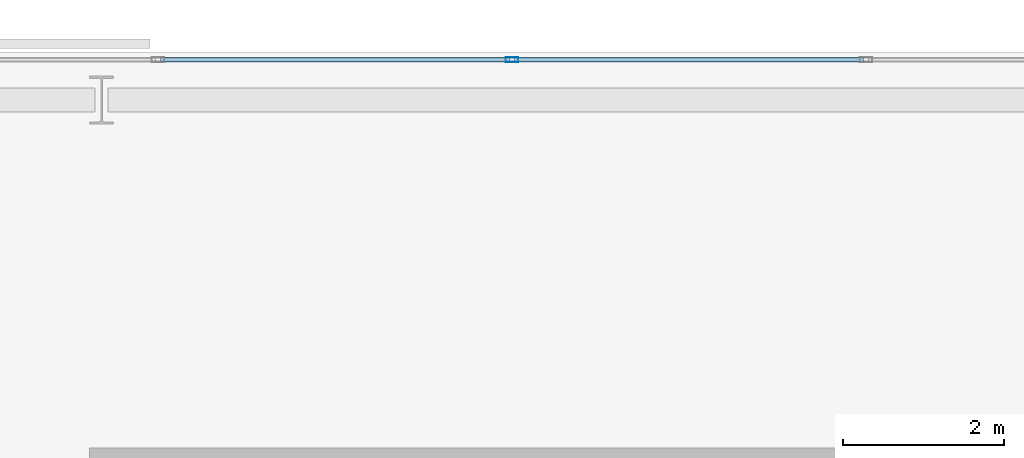
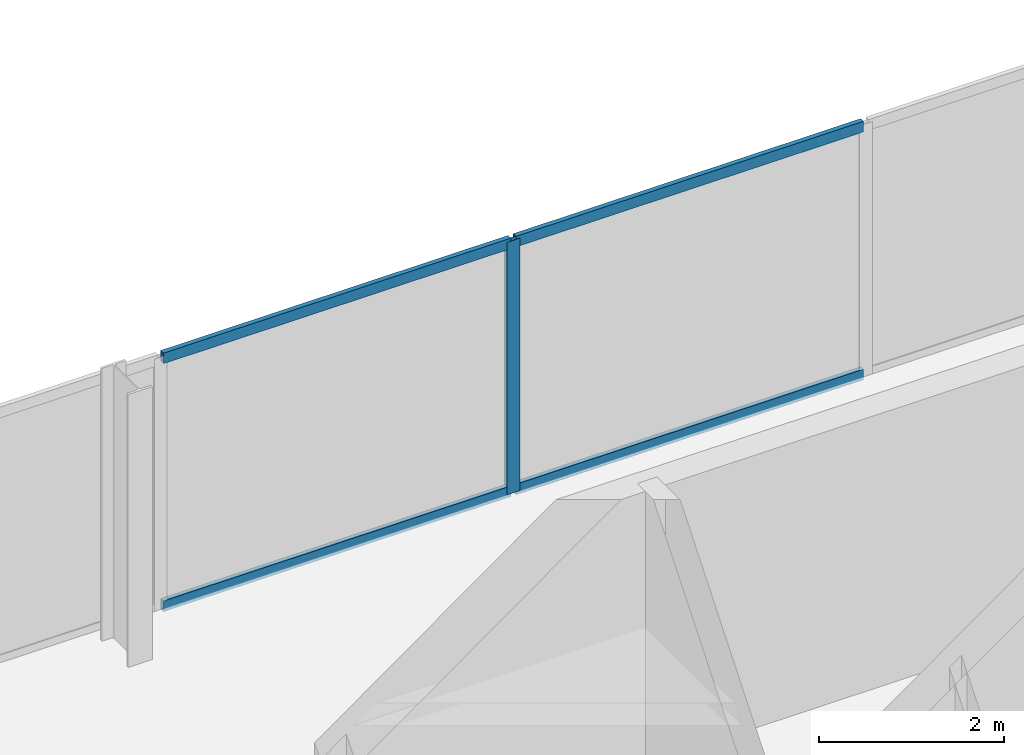
# One storey, part 20 of 32: 5 members, 1 element without a shape of its own.
"""IFC4 building model written with IfcOpenShell, lengths in metres."""

from ifc_helpers import new_model, si_unit, direction, frame, origin, origin_2d, place, context, subcontext, project, spatial, hollow_rectangle, extrude, material, layer, layer_set, material_profile, profile_set, type_object, element, aggregate, save


model = new_model("IFC4")

# Units and contexts
model_context = context("Model", 3, precision=1e-05, world=origin(), true_north=direction((0.0, 1.0)))
body_context = subcontext(model_context, "Body", "Model", "MODEL_VIEW")
ifc_project = project(units=[si_unit("LENGTHUNIT", "METRE"), si_unit("AREAUNIT", "SQUARE_METRE"), si_unit("VOLUMEUNIT", "CUBIC_METRE"), si_unit("PLANEANGLEUNIT", "RADIAN"), si_unit("MASSUNIT", "GRAM", prefix="KILO")], contexts=[model_context])

# Site, building, storey
site_placement = place(None, origin())
site = spatial("IfcSite", under=ifc_project, at=site_placement, CompositionType="ELEMENT")
building_placement = place(site_placement, origin())
building = spatial("IfcBuilding", under=site, at=building_placement, Name="Catumbela Crestline Tower", CompositionType="ELEMENT")
storey_placement = place(building_placement, frame((0.0, 0.0, 129.6)))
storey = spatial("IfcBuildingStorey", under=building, at=storey_placement, Name="L33", CompositionType="ELEMENT", Elevation=129.6)

# Curtain wall, members
ifc_material = material(Name="Aluminium alloy AW-6060-T66", Category="aluminium")
ifc_layer = layer(ifc_material, 0.18, Name="Aluminium alloy AW-6060-T66")
ifc_layer_set = layer_set([ifc_layer], Name="Aluminium alloy AW-6060-T66")
curtain_wall_type = type_object("IfcCurtainWallType", Name="CWU-Z2", PredefinedType="USERDEFINED", material=ifc_layer_set)
curtain_wall_placement = place(storey_placement, origin())
curtain_wall = element("IfcCurtainWall", 1, at=curtain_wall_placement, inside=storey, type_object=curtain_wall_type, Name="L33 Unitised Curtain Wall CW-L33-E7S1", ObjectType="UNITISED", PredefinedType="USERDEFINED")
ifc_material_profile_1 = material_profile(ifc_material, hollow_rectangle(XDim=0.06, YDim=0.16, WallThickness=0.004, at=origin_2d()), Name="ALU 160x60x4")
ifc_profile_set_1 = profile_set([ifc_material_profile_1], Name="Aluminium alloy AW-6060-T66")
member_type_1 = type_object("IfcMemberType", Name="MUL-160X60", PredefinedType="MULLION", material=ifc_profile_set_1)
member_1_placement = place(storey_placement, frame((21.1, 47.9, 0.0), z_axis=(0.0, 0.0, 1.0), x_axis=(0.0, -1.0, 0.0)))
member_1 = element("IfcMember", 2, at=member_1_placement, type_object=member_type_1, Name="CWU-Z2 mullion 7", PredefinedType="MULLION", context=body_context, shape_type="SweptSolid", body=[
    extrude(hollow_rectangle(XDim=0.06, YDim=0.16, WallThickness=0.004, at=origin_2d()), origin(), (0.0, 0.0, 1.0), 3.33),
])
ifc_material_profile_2 = material_profile(ifc_material, hollow_rectangle(XDim=0.06, YDim=0.14, WallThickness=0.004, at=origin_2d()), Name="ALU 140x60x4")
ifc_profile_set_2 = profile_set([ifc_material_profile_2], Name="Aluminium alloy AW-6060-T66")
member_type_2 = type_object("IfcMemberType", Name="TRN-140X60", PredefinedType="USERDEFINED", material=ifc_profile_set_2)
member_2_placement = place(storey_placement, frame((25.4675, 47.9, 0.03), z_axis=(-1.0, 0.0, 0.0), x_axis=(0.0, -1.0, 0.0)))
member_2 = element("IfcMember", 3, at=member_2_placement, type_object=member_type_2, Name="CWU-Z2 transom 6.1", ObjectType="TRANSOM", PredefinedType="USERDEFINED", context=body_context, shape_type="SweptSolid", body=[
    extrude(hollow_rectangle(XDim=0.06, YDim=0.14, WallThickness=0.004, at=origin_2d()), origin(), (0.0, 0.0, 1.0), 4.335),
])
member_3_placement = place(storey_placement, frame((25.4675, 47.9, 3.3), z_axis=(-1.0, 0.0, 0.0), x_axis=(0.0, -1.0, 0.0)))
member_3 = element("IfcMember", 4, at=member_3_placement, type_object=member_type_2, Name="CWU-Z2 transom 6.2", ObjectType="TRANSOM", PredefinedType="USERDEFINED", context=body_context, shape_type="SweptSolid", body=[
    extrude(hollow_rectangle(XDim=0.06, YDim=0.14, WallThickness=0.004, at=origin_2d()), origin(), (0.0, 0.0, 1.0), 4.335),
])
member_4_placement = place(storey_placement, frame((21.0675, 47.9, 0.03), z_axis=(-1.0, 0.0, 0.0), x_axis=(0.0, -1.0, 0.0)))
member_4 = element("IfcMember", 5, at=member_4_placement, type_object=member_type_2, Name="CWU-Z2 transom 7.1", ObjectType="TRANSOM", PredefinedType="USERDEFINED", context=body_context, shape_type="SweptSolid", body=[
    extrude(hollow_rectangle(XDim=0.06, YDim=0.14, WallThickness=0.004, at=origin_2d()), origin(), (0.0, 0.0, 1.0), 4.335),
])
member_5_placement = place(storey_placement, frame((21.0675, 47.9, 3.3), z_axis=(-1.0, 0.0, 0.0), x_axis=(0.0, -1.0, 0.0)))
member_5 = element("IfcMember", 6, at=member_5_placement, type_object=member_type_2, Name="CWU-Z2 transom 7.2", ObjectType="TRANSOM", PredefinedType="USERDEFINED", context=body_context, shape_type="SweptSolid", body=[
    extrude(hollow_rectangle(XDim=0.06, YDim=0.14, WallThickness=0.004, at=origin_2d()), origin(), (0.0, 0.0, 1.0), 4.335),
])
aggregate(curtain_wall, [member_1, member_2, member_3, member_4, member_5])

save(model, "model.ifc")
